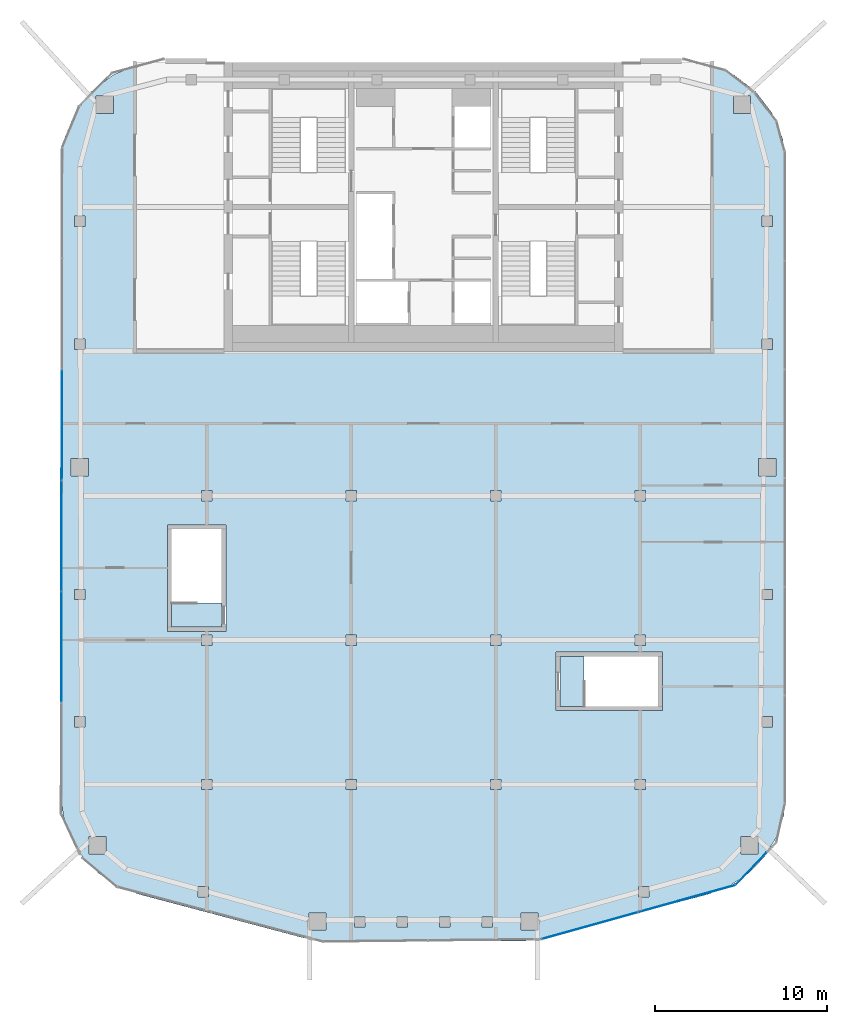
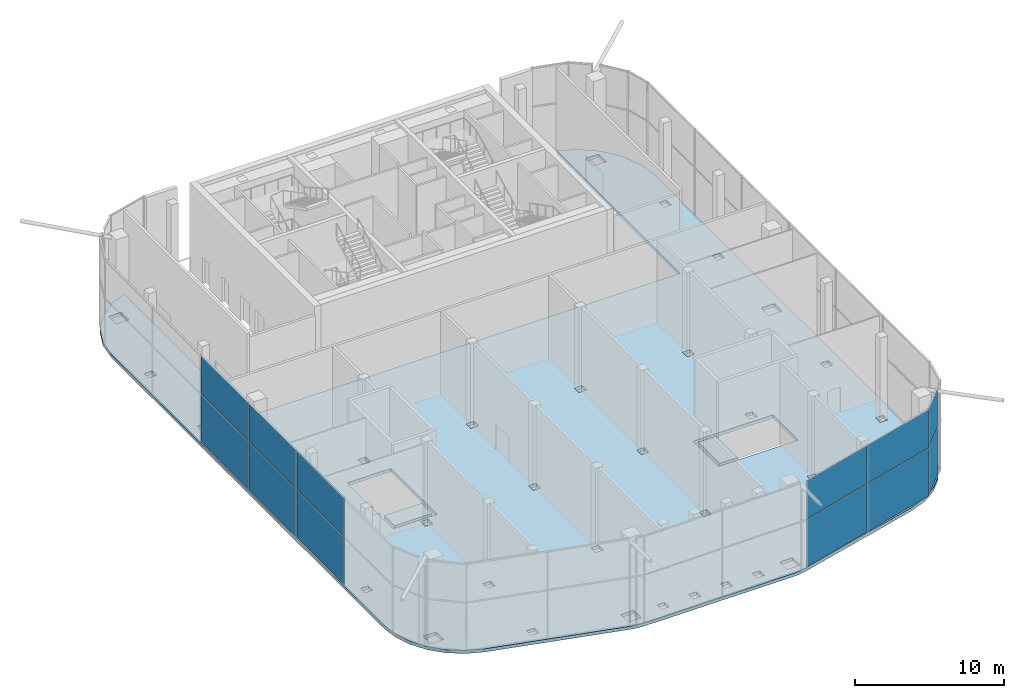
# One storey, part 14 of 23: 12 plates, 3 slabs, 3 elements without a shape of their own.
"""IFC4 building model written with IfcOpenShell, lengths in metres."""

from ifc_helpers import new_model, si_unit, direction, frame, origin, origin_2d, place, context, subcontext, project, spatial, polyline, rectangle, outline, extrude, material, layer, layer_set, type_object, element, aggregate, save


model = new_model("IFC4")

# Units and contexts
model_context = context("Model", 3, precision=1e-05, world=origin(), true_north=direction((0.0, 1.0)))
body_context = subcontext(model_context, "Body", "Model", "MODEL_VIEW")
ifc_project = project(units=[si_unit("LENGTHUNIT", "METRE"), si_unit("AREAUNIT", "SQUARE_METRE"), si_unit("VOLUMEUNIT", "CUBIC_METRE"), si_unit("PLANEANGLEUNIT", "RADIAN"), si_unit("MASSUNIT", "GRAM", prefix="KILO")], contexts=[model_context])

# Site, building, storey
site_placement = place(None, origin())
site = spatial("IfcSite", under=ifc_project, at=site_placement, CompositionType="ELEMENT")
building_placement = place(site_placement, origin())
building = spatial("IfcBuilding", under=site, at=building_placement, Name="Marenta Gate Hotel Tower", CompositionType="ELEMENT")
storey_placement = place(building_placement, frame((0.0, 0.0, 288.5)))
storey = spatial("IfcBuildingStorey", under=building, at=storey_placement, Name="L66", CompositionType="ELEMENT", Elevation=288.5)

# Slab
ifc_material_1 = material(Name="Concrete C35", Category="concrete")
ifc_layer_1 = layer(ifc_material_1, 0.260009765625)
ifc_layer_set_1 = layer_set([ifc_layer_1], Name="Concrete C35")
slab_type_1 = type_object("IfcSlabType", Name="Concrete floor slab 260", PredefinedType="FLOOR", material=ifc_layer_set_1)
slab_1_placement = place(storey_placement, frame((0.0, 0.0, -0.260009765625)))
element("IfcSlab", 1, at=slab_1_placement, inside=storey, type_object=slab_type_1, Name="L66-SL-1", PredefinedType="FLOOR", context=body_context, shape_type="SweptSolid", body=[
    extrude(outline(polyline([(-18.913818359375, -30.364013671875), (-19.83544921875, -29.404052734375), (-20.52685546875, -28.26708984375), (-20.955322265625, -27.007080078125), (-21.10009765625, -25.689697265625), (-21.10009765625, 10.806640625), (-20.89306640625, 12.37890625), (-20.283447265625, 13.850341796875), (-19.31396484375, 15.114013671875), (-18.050537109375, 16.08349609375), (-16.800048828125, 16.6015625), (-16.800048828125, 0.0), (16.800048828125, 0.0), (16.800048828125, 16.6015625), (18.050537109375, 16.08349609375), (19.31396484375, 15.114013671875), (20.283447265625, 13.850341796875), (20.89306640625, 12.37890625), (21.10009765625, 10.806640625), (21.10009765625, -25.689697265625), (20.955322265625, -27.007080078125), (20.52685546875, -28.26708984375), (19.83544921875, -29.404052734375), (18.913818359375, -30.364013671875), (17.8056640625, -31.101318359375), (16.569580078125, -31.578857421875), (6.82666015625, -34.16357421875), (6.30859375, -34.265869140625), (5.78173828125, -34.300048828125), (-5.78173828125, -34.300048828125), (-6.30859375, -34.265869140625), (-6.82666015625, -34.16357421875), (-16.569580078125, -31.578857421875), (-17.8056640625, -31.101318359375), (-18.913818359375, -30.364013671875)]), holes=[polyline([(-0.933349609375, -32.89990234375), (-1.533447265625, -32.89990234375), (-1.533447265625, -33.5), (-0.933349609375, -33.5), (-0.933349609375, -32.89990234375)]), polyline([(-3.400146484375, -32.89990234375), (-4.0, -32.89990234375), (-4.0, -33.5), (-3.400146484375, -33.5), (-3.400146484375, -32.89990234375)]), polyline([(-5.666259765625, -32.6748046875), (-6.666259765625, -32.6748046875), (-6.666259765625, -33.6748046875), (-5.666259765625, -33.6748046875), (-5.666259765625, -32.6748046875)]), polyline([(-12.5068359375, -31.739013671875), (-12.5068359375, -31.13916015625), (-13.106689453125, -31.13916015625), (-13.106689453125, -31.739013671875), (-12.5068359375, -31.739013671875)]), polyline([(-18.462890625, -29.23291015625), (-18.462890625, -28.23291015625), (-19.462890625, -28.23291015625), (-19.462890625, -29.23291015625), (-18.462890625, -29.23291015625)]), polyline([(-3.89990234375, -24.89990234375), (-4.5, -24.89990234375), (-4.5, -25.5), (-3.89990234375, -25.5), (-3.89990234375, -24.89990234375)]), polyline([(-12.300048828125, -24.89990234375), (-12.89990234375, -24.89990234375), (-12.89990234375, -25.5), (-12.300048828125, -25.5), (-12.300048828125, -24.89990234375)]), polyline([(-19.699951171875, -21.251953125), (-20.300048828125, -21.251953125), (-20.300048828125, -21.851806640625), (-19.699951171875, -21.851806640625), (-19.699951171875, -21.251953125)]), polyline([(-12.300048828125, -17.10009765625), (-12.300048828125, -16.5), (-12.89990234375, -16.5), (-12.89990234375, -17.10009765625), (-12.300048828125, -17.10009765625)]), polyline([(-3.89990234375, -17.10009765625), (-3.89990234375, -16.5), (-4.5, -16.5), (-4.5, -17.10009765625), (-3.89990234375, -17.10009765625)]), polyline([(-19.699951171875, -13.850830078125), (-20.300048828125, -13.850830078125), (-20.300048828125, -14.450927734375), (-19.699951171875, -14.450927734375), (-19.699951171875, -13.850830078125)]), polyline([(-12.300048828125, -8.10009765625), (-12.89990234375, -8.10009765625), (-12.89990234375, -8.699951171875), (-12.300048828125, -8.699951171875), (-12.300048828125, -8.10009765625)]), polyline([(-3.89990234375, -8.10009765625), (-4.5, -8.10009765625), (-4.5, -8.699951171875), (-3.89990234375, -8.699951171875), (-3.89990234375, -8.10009765625)]), polyline([(-19.5, -7.25), (-19.5, -6.25), (-20.5, -6.25), (-20.5, -7.25), (-19.5, -7.25)]), polyline([(-19.699951171875, 0.103271484375), (-19.699951171875, 0.703125), (-20.300048828125, 0.703125), (-20.300048828125, 0.103271484375), (-19.699951171875, 0.103271484375)]), polyline([(-19.699951171875, 7.8564453125), (-20.300048828125, 7.8564453125), (-20.300048828125, 7.25634765625), (-19.699951171875, 7.25634765625), (-19.699951171875, 7.8564453125)]), polyline([(-18.035400390625, 14.83544921875), (-19.035400390625, 14.83544921875), (-19.035400390625, 13.83544921875), (-18.035400390625, 13.83544921875), (-18.035400390625, 14.83544921875)]), polyline([(1.533447265625, -32.89990234375), (0.933349609375, -32.89990234375), (0.933349609375, -33.5), (1.533447265625, -33.5), (1.533447265625, -32.89990234375)]), polyline([(4.0, -32.89990234375), (3.400146484375, -32.89990234375), (3.400146484375, -33.5), (4.0, -33.5), (4.0, -32.89990234375)]), polyline([(6.666259765625, -32.6748046875), (5.666259765625, -32.6748046875), (5.666259765625, -33.6748046875), (6.666259765625, -33.6748046875), (6.666259765625, -32.6748046875)]), polyline([(13.106689453125, -31.739013671875), (13.106689453125, -31.13916015625), (12.5068359375, -31.13916015625), (12.5068359375, -31.739013671875), (13.106689453125, -31.739013671875)]), polyline([(19.462890625, -29.23291015625), (19.462890625, -28.23291015625), (18.462890625, -28.23291015625), (18.462890625, -29.23291015625), (19.462890625, -29.23291015625)]), polyline([(4.5, -24.89990234375), (3.89990234375, -24.89990234375), (3.89990234375, -25.5), (4.5, -25.5), (4.5, -24.89990234375)]), polyline([(12.89990234375, -24.89990234375), (12.300048828125, -24.89990234375), (12.300048828125, -25.5), (12.89990234375, -25.5), (12.89990234375, -24.89990234375)]), polyline([(20.300048828125, -21.251953125), (19.699951171875, -21.251953125), (19.699951171875, -21.851806640625), (20.300048828125, -21.851806640625), (20.300048828125, -21.251953125)]), polyline([(4.5, -17.10009765625), (4.5, -16.5), (3.89990234375, -16.5), (3.89990234375, -17.10009765625), (4.5, -17.10009765625)]), polyline([(12.89990234375, -17.10009765625), (12.89990234375, -16.5), (12.300048828125, -16.5), (12.300048828125, -17.10009765625), (12.89990234375, -17.10009765625)]), polyline([(20.300048828125, -13.850830078125), (19.699951171875, -13.850830078125), (19.699951171875, -14.450927734375), (20.300048828125, -14.450927734375), (20.300048828125, -13.850830078125)]), polyline([(4.5, -8.10009765625), (3.89990234375, -8.10009765625), (3.89990234375, -8.699951171875), (4.5, -8.699951171875), (4.5, -8.10009765625)]), polyline([(12.89990234375, -8.10009765625), (12.300048828125, -8.10009765625), (12.300048828125, -8.699951171875), (12.89990234375, -8.699951171875), (12.89990234375, -8.10009765625)]), polyline([(20.5, -7.25), (20.5, -6.25), (19.5, -6.25), (19.5, -7.25), (20.5, -7.25)]), polyline([(20.300048828125, 0.103271484375), (20.300048828125, 0.703125), (19.699951171875, 0.703125), (19.699951171875, 0.103271484375), (20.300048828125, 0.103271484375)]), polyline([(20.300048828125, 7.8564453125), (19.699951171875, 7.8564453125), (19.699951171875, 7.25634765625), (20.300048828125, 7.25634765625), (20.300048828125, 7.8564453125)]), polyline([(19.035400390625, 14.83544921875), (18.035400390625, 14.83544921875), (18.035400390625, 13.83544921875), (19.035400390625, 13.83544921875), (19.035400390625, 14.83544921875)]), polyline([(13.89990234375, -20.89990234375), (13.89990234375, -17.5), (7.699951171875, -17.5), (7.699951171875, -20.89990234375), (13.89990234375, -20.89990234375)]), polyline([(-11.5, -16.300048828125), (-11.5, -10.10009765625), (-14.89990234375, -10.10009765625), (-14.89990234375, -16.300048828125), (-11.5, -16.300048828125)])]), origin(), (0.0, 0.0, 1.0), 0.260009765625),
])

# Curtain wall, plates
ifc_material_2 = material(Name="Tinted insulated glass in bronze anodised frame", Category="glass")
ifc_layer_2 = layer(ifc_material_2, 0.1201171875)
ifc_layer_set_2 = layer_set([ifc_layer_2], Name="Tinted insulated glass in bronze anodised frame")
curtain_wall_type = type_object("IfcCurtainWallType", Name="Sky restaurant glazing CW4", PredefinedType="NOTDEFINED", material=ifc_layer_set_2)
curtain_wall_1_placement = place(storey_placement, origin())
curtain_wall_1 = element("IfcCurtainWall", 2, at=curtain_wall_1_placement, inside=storey, type_object=curtain_wall_type, Name="CW4 run G05", PredefinedType="NOTDEFINED")
ifc_material_3 = material(Name="Tinted insulated glass", Category="glass")
ifc_layer_3 = layer(ifc_material_3, 0.030029296875)
ifc_layer_set_3 = layer_set([ifc_layer_3], Name="Tinted insulated glass")
plate_type = type_object("IfcPlateType", Name="Glass panel CW4 30 mm tinted insulated unit", PredefinedType="CURTAIN_PANEL", material=ifc_layer_set_3)
plate_1_placement = place(storey_placement, frame((-21.03759765625, -4.28369140625, 0.070068359375), z_axis=(0.0, 0.0, 1.0), x_axis=(-0.001566045546, -0.99999877375, 0.0)))
plate_1 = element("IfcPlate", 3, at=plate_1_placement, type_object=plate_type, Name="CW4 panel 3.1", PredefinedType="CURTAIN_PANEL", context=body_context, shape_type="SweptSolid", body=[
    extrude(rectangle(XDim=6.389892578125, YDim=0.030029296875, at=origin_2d()), origin(), (0.0, 0.0, 1.0), 3.89501953125),
])
plate_2_placement = place(storey_placement, frame((-21.03759765625, -4.28369140625, 4.03515625), z_axis=(0.0, 0.0, 1.0), x_axis=(-0.001566045546, -0.99999877375, 0.0)))
plate_2 = element("IfcPlate", 4, at=plate_2_placement, type_object=plate_type, Name="CW4 panel 3.2", PredefinedType="CURTAIN_PANEL", context=body_context, shape_type="SweptSolid", body=[
    extrude(rectangle(XDim=6.389892578125, YDim=0.030029296875, at=origin_2d()), origin(), (0.0, 0.0, 1.0), 3.094970703125),
])
plate_3_placement = place(storey_placement, frame((-21.047607421875, -10.743896484375, 0.070068359375), z_axis=(0.0, 0.0, 1.0), x_axis=(-0.001566045546, -0.99999877375, 0.0)))
plate_3 = element("IfcPlate", 5, at=plate_3_placement, type_object=plate_type, Name="CW4 panel 4.1", PredefinedType="CURTAIN_PANEL", context=body_context, shape_type="SweptSolid", body=[
    extrude(rectangle(XDim=6.389892578125, YDim=0.030029296875, at=origin_2d()), origin(), (0.0, 0.0, 1.0), 3.89501953125),
])
plate_4_placement = place(storey_placement, frame((-21.047607421875, -10.743896484375, 4.03515625), z_axis=(0.0, 0.0, 1.0), x_axis=(-0.001566045546, -0.99999877375, 0.0)))
plate_4 = element("IfcPlate", 6, at=plate_4_placement, type_object=plate_type, Name="CW4 panel 4.2", PredefinedType="CURTAIN_PANEL", context=body_context, shape_type="SweptSolid", body=[
    extrude(rectangle(XDim=6.389892578125, YDim=0.030029296875, at=origin_2d()), origin(), (0.0, 0.0, 1.0), 3.094970703125),
])
plate_5_placement = place(storey_placement, frame((-21.057861328125, -17.203857421875, 0.070068359375), z_axis=(0.0, 0.0, 1.0), x_axis=(-0.001566045546, -0.99999877375, 0.0)))
plate_5 = element("IfcPlate", 7, at=plate_5_placement, type_object=plate_type, Name="CW4 panel 5.1", PredefinedType="CURTAIN_PANEL", context=body_context, shape_type="SweptSolid", body=[
    extrude(rectangle(XDim=6.389892578125, YDim=0.030029296875, at=origin_2d()), origin(), (0.0, 0.0, 1.0), 3.89501953125),
])
plate_6_placement = place(storey_placement, frame((-21.057861328125, -17.203857421875, 4.03515625), z_axis=(0.0, 0.0, 1.0), x_axis=(-0.001566045546, -0.99999877375, 0.0)))
plate_6 = element("IfcPlate", 8, at=plate_6_placement, type_object=plate_type, Name="CW4 panel 5.2", PredefinedType="CURTAIN_PANEL", context=body_context, shape_type="SweptSolid", body=[
    extrude(rectangle(XDim=6.389892578125, YDim=0.030029296875, at=origin_2d()), origin(), (0.0, 0.0, 1.0), 3.094970703125),
])
aggregate(curtain_wall_1, [plate_1, plate_2, plate_3, plate_4, plate_5, plate_6])

curtain_wall_2_placement = place(storey_placement, origin())
curtain_wall_2 = element("IfcCurtainWall", 9, at=curtain_wall_2_placement, inside=storey, type_object=curtain_wall_type, Name="CW4 run G14", PredefinedType="NOTDEFINED")
plate_7_placement = place(storey_placement, frame((9.68603515625, -33.408447265625, 0.070068359375), z_axis=(0.0, 0.0, 1.0), x_axis=(0.963265914415, 0.268549396065, 0.0)))
plate_7 = element("IfcPlate", 10, at=plate_7_placement, type_object=plate_type, Name="CW4 panel 1.1", PredefinedType="CURTAIN_PANEL", context=body_context, shape_type="SweptSolid", body=[
    extrude(rectangle(XDim=5.752197265625, YDim=0.030029296875, at=origin_2d()), origin(), (0.0, 0.0, 1.0), 3.89501953125),
])
plate_8_placement = place(storey_placement, frame((9.68603515625, -33.408447265625, 4.03515625), z_axis=(0.0, 0.0, 1.0), x_axis=(0.963265914415, 0.268549396065, 0.0)))
plate_8 = element("IfcPlate", 11, at=plate_8_placement, type_object=plate_type, Name="CW4 panel 1.2", PredefinedType="CURTAIN_PANEL", context=body_context, shape_type="SweptSolid", body=[
    extrude(rectangle(XDim=5.752197265625, YDim=0.030029296875, at=origin_2d()), origin(), (0.0, 0.0, 1.0), 3.094970703125),
])
plate_9_placement = place(storey_placement, frame((15.328125, -31.835693359375, 0.070068359375), z_axis=(0.0, 0.0, 1.0), x_axis=(0.963265914415, 0.268549396065, 0.0)))
plate_9 = element("IfcPlate", 12, at=plate_9_placement, type_object=plate_type, Name="CW4 panel 2.1", PredefinedType="CURTAIN_PANEL", context=body_context, shape_type="SweptSolid", body=[
    extrude(rectangle(XDim=5.822265625, YDim=0.030029296875, at=origin_2d()), origin(), (0.0, 0.0, 1.0), 3.89501953125),
])
plate_10_placement = place(storey_placement, frame((15.328125, -31.835693359375, 4.03515625), z_axis=(0.0, 0.0, 1.0), x_axis=(0.963265914415, 0.268549396065, 0.0)))
plate_10 = element("IfcPlate", 13, at=plate_10_placement, type_object=plate_type, Name="CW4 panel 2.2", PredefinedType="CURTAIN_PANEL", context=body_context, shape_type="SweptSolid", body=[
    extrude(rectangle(XDim=5.822265625, YDim=0.030029296875, at=origin_2d()), origin(), (0.0, 0.0, 1.0), 3.094970703125),
])
aggregate(curtain_wall_2, [plate_7, plate_8, plate_9, plate_10])

curtain_wall_3_placement = place(storey_placement, origin())
curtain_wall_3 = element("IfcCurtainWall", 14, at=curtain_wall_3_placement, inside=storey, type_object=curtain_wall_type, Name="CW4 run G15", PredefinedType="NOTDEFINED")
plate_11_placement = place(storey_placement, frame((19.067138671875, -30.080078125, 0.070068359375), z_axis=(0.0, 0.0, 1.0), x_axis=(0.692565867673, 0.721354641584, 0.0)))
plate_11 = element("IfcPlate", 15, at=plate_11_placement, type_object=plate_type, Name="CW4 panel 1.1", PredefinedType="CURTAIN_PANEL", context=body_context, shape_type="SweptSolid", body=[
    extrude(rectangle(XDim=2.5595703125, YDim=0.030029296875, at=origin_2d()), origin(), (0.0, 0.0, 1.0), 3.89501953125),
])
plate_12_placement = place(storey_placement, frame((19.067138671875, -30.080078125, 4.03515625), z_axis=(0.0, 0.0, 1.0), x_axis=(0.692565867673, 0.721354641584, 0.0)))
plate_12 = element("IfcPlate", 16, at=plate_12_placement, type_object=plate_type, Name="CW4 panel 1.2", PredefinedType="CURTAIN_PANEL", context=body_context, shape_type="SweptSolid", body=[
    extrude(rectangle(XDim=2.5595703125, YDim=0.030029296875, at=origin_2d()), origin(), (0.0, 0.0, 1.0), 3.094970703125),
])
aggregate(curtain_wall_3, [plate_11, plate_12])

# Slabs
ifc_material_4 = material(Name="Concrete C40", Category="concrete")
ifc_layer_4 = layer(ifc_material_4, 0.300048828125)
ifc_layer_set_4 = layer_set([ifc_layer_4], Name="Concrete C40")
slab_type_2 = type_object("IfcSlabType", Name="Stair floor landing slab 300", PredefinedType="FLOOR", material=ifc_layer_set_4)
slab_2_placement = place(storey_placement, frame((0.0, 0.0, -0.300048828125)))
element("IfcSlab", 17, at=slab_2_placement, inside=storey, type_object=slab_type_2, Name="L66-RS-Z4-1-CL", PredefinedType="FLOOR", context=body_context, shape_type="SweptSolid", body=[
    extrude(outline(polyline([(9.35009765625, -20.64990234375), (9.35009765625, -17.75), (7.949951171875, -17.75), (7.949951171875, -20.64990234375), (9.35009765625, -20.64990234375)])), origin(), (0.0, 0.0, 1.0), 0.300048828125),
])
slab_3_placement = place(storey_placement, frame((0.0, 0.0, -0.300048828125)))
element("IfcSlab", 18, at=slab_3_placement, inside=storey, type_object=slab_type_2, Name="L66-RS-Z4-2-CL", PredefinedType="FLOOR", context=body_context, shape_type="SweptSolid", body=[
    extrude(outline(polyline([(-11.75, -16.050048828125), (-11.75, -14.64990234375), (-14.64990234375, -14.64990234375), (-14.64990234375, -16.050048828125), (-11.75, -16.050048828125)])), origin(), (0.0, 0.0, 1.0), 0.300048828125),
])

save(model, "model.ifc")
